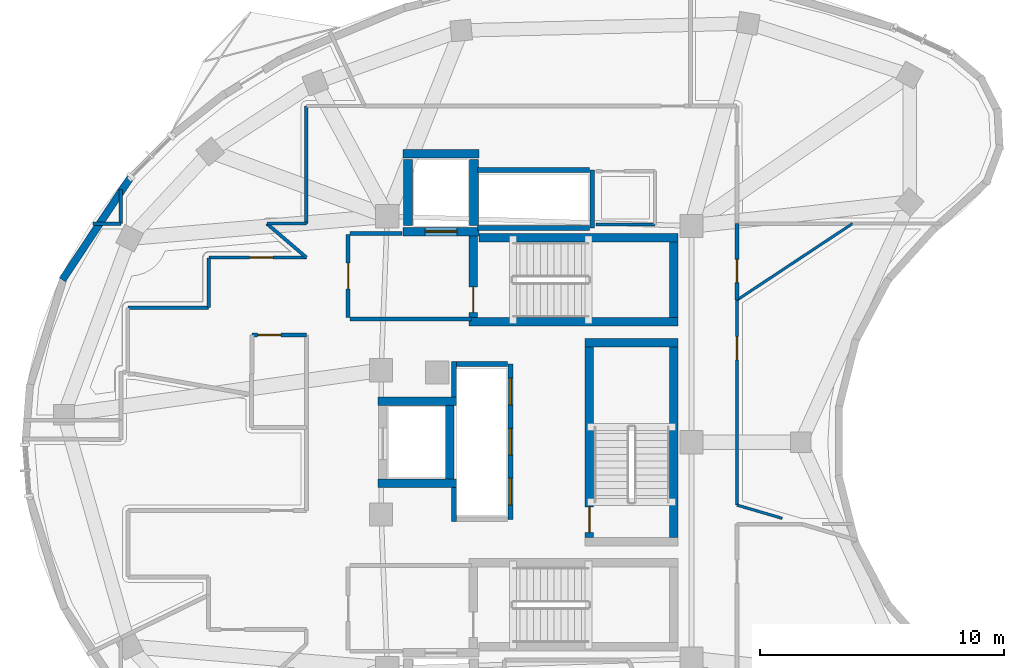
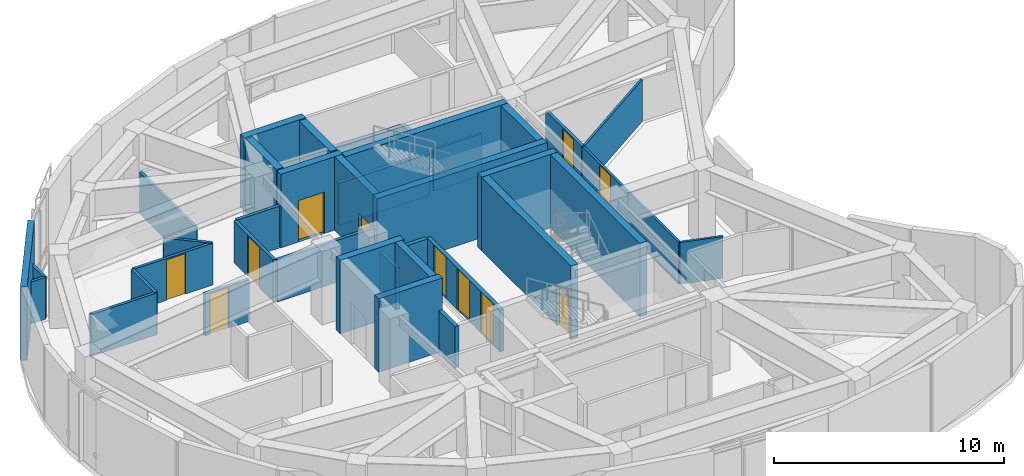
# One storey, part 7 of 12: 39 walls, 11 doors, 11 openings.
"""IFC4 building model written with IfcOpenShell, lengths in metres."""

from ifc_helpers import new_model, si_unit, direction, frame, frame_2d, origin, place, context, subcontext, project, spatial, rectangle, extrude, material, layer, layer_set, type_object, element, fill, save


model = new_model("IFC4")

# Units and contexts
model_context = context("Model", 3, precision=1e-05, world=origin(), true_north=direction((0.0, 1.0)))
body_context = subcontext(model_context, "Body", "Model", "MODEL_VIEW")
ifc_project = project(units=[si_unit("LENGTHUNIT", "METRE"), si_unit("AREAUNIT", "SQUARE_METRE"), si_unit("VOLUMEUNIT", "CUBIC_METRE"), si_unit("PLANEANGLEUNIT", "RADIAN"), si_unit("MASSUNIT", "GRAM", prefix="KILO")], contexts=[model_context])

# Site, building, storey
site_placement = place(None, origin())
site = spatial("IfcSite", under=ifc_project, at=site_placement, CompositionType="ELEMENT")
building_placement = place(site_placement, origin())
building = spatial("IfcBuilding", under=site, at=building_placement, Name="Korentha Bioscience Tower", CompositionType="ELEMENT")
storey_placement = place(building_placement, frame((0.0, 0.0, 297.60009765625)))
storey = spatial("IfcBuildingStorey", under=building, at=storey_placement, Name="L68", CompositionType="ELEMENT", Elevation=297.60009765625)

# Wall, opening, door
ifc_material_1 = material(Name="Double-Stud Acoustic Gypsum", Category="gypsum")
ifc_layer_1 = layer(ifc_material_1, 0.14990234375, Name="Double-Stud Acoustic Gypsum")
ifc_layer_set_1 = layer_set([ifc_layer_1], Name="Double-Stud Acoustic Gypsum (IW-L150)")
wall_type_1 = type_object("IfcWallType", Name="Acoustic Laboratory Partition Wall 150", PredefinedType="PARTITIONING", material=ifc_layer_set_1)
wall_1_placement = place(storey_placement, frame((39.409912109375, 32.83056640625, 0.0), z_axis=(0.0, 0.0, 1.0), x_axis=(0.0, 1.0, 0.0)))
wall_1 = element("IfcWall", 1, at=wall_1_placement, inside=storey, type_object=wall_type_1, Name="L68 Researchers' Collaboration Pantry 08 Entrance Wall", PredefinedType="PARTITIONING", context=body_context, shape_type="SweptSolid", body=[
    extrude(rectangle(XDim=3.117431640625, YDim=0.14990234375, at=frame_2d((1.55859375, 0.0))), origin(), (0.0, 0.0, 1.0), 2.219970703125),
])
opening_1_placement = place(wall_1_placement, frame((0.70361328125, 0.0, 0.0)))
opening_1 = element("IfcOpeningElement", 2, at=opening_1_placement, cuts=wall_1, Name="Opening ID-10R", PredefinedType="OPENING", context=body_context, shape_type="SweptSolid", body=[
    extrude(rectangle(XDim=0.949951171875, YDim=2.14990234375, at=frame_2d((0.47509765625, 1.074951171875))), frame((0.0, 0.08984375, 0.0), z_axis=(0.0, -1.0, 0.0), x_axis=(1.0, 0.0, 0.0)), (0.0, 0.0, 1.0), 0.1796875),
])
ifc_material_2 = material(Name="Phenolic Laminate Timber Core", Category="wood")
door_type_1 = type_object("IfcDoorType", Name="Laboratory Single Leaf Door 950x2150 Right", OperationType="SINGLE_SWING_RIGHT", PredefinedType="DOOR", material=ifc_material_2)
door_1_placement = place(opening_1_placement, origin())
door_1 = element("IfcDoor", 3, at=door_1_placement, inside=storey, type_object=door_type_1, Name="L68 Researchers' Collaboration Pantry 08 Door", OperationType="SINGLE_SWING_RIGHT", OverallHeight=2.14990234375, OverallWidth=0.949951171875, PredefinedType="DOOR", context=body_context, shape_type="SweptSolid", body=[
    extrude(rectangle(XDim=0.949951171875, YDim=2.14990234375, at=frame_2d((0.47509765625, 1.074951171875))), frame((0.0, 0.02490234375, 0.0), z_axis=(0.0, -1.0, 0.0), x_axis=(1.0, 0.0, 0.0)), (0.0, 0.0, 1.0), 0.050048828125),
])
fill(opening_1, door_1)

ifc_material_3 = material(Name="Insulated Aluminium Honeycomb Panel", Category="aluminium")
ifc_layer_2 = layer(ifc_material_3, 0.139892578125, Name="Insulated Aluminium Honeycomb Panel")
ifc_layer_set_2 = layer_set([ifc_layer_2], Name="Insulated Aluminium Honeycomb Panel (IW-F60)")
wall_type_2 = type_object("IfcWallType", Name="Cleanroom Flush Metal Panel Partition 140", PredefinedType="PARTITIONING", material=ifc_layer_set_2)
wall_2_placement = place(storey_placement, frame((21.7900390625, 34.56005859375, 0.0), z_axis=(0.0, 0.0, 1.0), x_axis=(-1.0, 0.0, 0.0)))
wall_2 = element("IfcWall", 4, at=wall_2_placement, inside=storey, type_object=wall_type_2, Name="L68 PCR Amplification Cleanroom 11 Entrance Wall", PredefinedType="PARTITIONING", context=body_context, shape_type="SweptSolid", body=[
    extrude(rectangle(XDim=3.989990234375, YDim=0.139892578125, at=frame_2d((1.9951171875, 0.0))), origin(), (0.0, 0.0, 1.0), 2.219970703125),
])
opening_2_placement = place(wall_2_placement, frame((1.368408203125, 0.0, 0.0)))
opening_2 = element("IfcOpeningElement", 5, at=opening_2_placement, cuts=wall_2, Name="Opening ID-10L", PredefinedType="OPENING", context=body_context, shape_type="SweptSolid", body=[
    extrude(rectangle(XDim=0.949951171875, YDim=2.14990234375, at=frame_2d((0.47509765625, 1.074951171875))), frame((0.0, 0.0849609375, 0.0), z_axis=(0.0, -1.0, 0.0), x_axis=(1.0, 0.0, 0.0)), (0.0, 0.0, 1.0), 0.169677734375),
])
door_type_2 = type_object("IfcDoorType", Name="Laboratory Single Leaf Door 950x2150 Left", OperationType="SINGLE_SWING_LEFT", PredefinedType="DOOR", material=ifc_material_2)
door_2_placement = place(opening_2_placement, origin())
door_2 = element("IfcDoor", 6, at=door_2_placement, inside=storey, type_object=door_type_2, Name="L68 PCR Amplification Cleanroom 11 Door", OperationType="SINGLE_SWING_LEFT", OverallHeight=2.14990234375, OverallWidth=0.949951171875, PredefinedType="DOOR", context=body_context, shape_type="SweptSolid", body=[
    extrude(rectangle(XDim=0.949951171875, YDim=2.14990234375, at=frame_2d((0.47509765625, 1.074951171875))), frame((0.0, 0.02490234375, 0.0), z_axis=(0.0, -1.0, 0.0), x_axis=(1.0, 0.0, 0.0)), (0.0, 0.0, 1.0), 0.050048828125),
])
fill(opening_2, door_2)

# Walls
wall_3_placement = place(storey_placement, frame((13.069091796875, 35.947998046875, 0.0), z_axis=(0.0, 0.0, 1.0), x_axis=(1.0, 0.0, 0.0)))
element("IfcWall", 7, at=wall_3_placement, inside=storey, type_object=wall_type_2, Name="L68 Interior Partition 062", PredefinedType="PARTITIONING", context=body_context, shape_type="SweptSolid", body=[
    extrude(rectangle(XDim=1.128662109375, YDim=0.139892578125, at=frame_2d((0.564453125, 0.0))), origin(), (0.0, 0.0, 1.0), 2.219970703125),
])
wall_4_placement = place(storey_placement, frame((14.201904296875, 35.9521484375, 0.0), z_axis=(0.0, 0.0, 1.0), x_axis=(0.0, 1.0, 0.0)))
element("IfcWall", 8, at=wall_4_placement, inside=storey, type_object=wall_type_2, Name="L68 Interior Partition 063", PredefinedType="PARTITIONING", context=body_context, shape_type="SweptSolid", body=[
    extrude(rectangle(XDim=1.393798828125, YDim=0.139892578125, at=frame_2d((0.69677734375, 0.0))), origin(), (0.0, 0.0, 1.0), 2.219970703125),
])
wall_5_placement = place(storey_placement, frame((21.7900390625, 40.75, 0.0), z_axis=(0.0, 0.0, 1.0), x_axis=(0.0, -1.0, 0.0)))
element("IfcWall", 9, at=wall_5_placement, inside=storey, type_object=wall_type_2, Name="L68 Interior Partition 065", PredefinedType="PARTITIONING", context=body_context, shape_type="SweptSolid", body=[
    extrude(rectangle(XDim=4.798095703125, YDim=0.139892578125, at=frame_2d((2.39892578125, 0.0))), origin(), (0.0, 0.0, 1.0), 2.219970703125),
])
wall_6_placement = place(storey_placement, frame((21.7900390625, 35.951904296875, 0.0), z_axis=(0.0, 0.0, 1.0), x_axis=(-1.0, 0.0, 0.0)))
element("IfcWall", 10, at=wall_6_placement, inside=storey, type_object=wall_type_2, Name="L68 Interior Partition 066", PredefinedType="PARTITIONING", context=body_context, shape_type="SweptSolid", body=[
    extrude(rectangle(XDim=1.611328125, YDim=0.139892578125, at=frame_2d((0.8056640625, 0.0))), origin(), (0.0, 0.0, 1.0), 2.219970703125),
])
wall_7_placement = place(storey_placement, frame((20.17626953125, 35.945068359375, 0.0), z_axis=(0.0, 0.0, 1.0), x_axis=(0.759240386263, -0.650810291765, 0.0)))
element("IfcWall", 11, at=wall_7_placement, inside=storey, type_object=wall_type_2, Name="L68 Interior Partition 067", PredefinedType="PARTITIONING", context=body_context, shape_type="SweptSolid", body=[
    extrude(rectangle(XDim=2.12548828125, YDim=0.139892578125, at=frame_2d((1.062744140625, 0.0))), origin(), (0.0, 0.0, 1.0), 2.219970703125),
])
wall_8_placement = place(storey_placement, frame((17.7900390625, 34.550048828125, 0.0), z_axis=(0.0, 0.0, 1.0), x_axis=(0.0, -1.0, 0.0)))
element("IfcWall", 12, at=wall_8_placement, inside=storey, type_object=wall_type_2, Name="L68 Interior Partition 068", PredefinedType="PARTITIONING", context=body_context, shape_type="SweptSolid", body=[
    extrude(rectangle(XDim=2.0400390625, YDim=0.139892578125, at=frame_2d((1.02001953125, 0.0))), origin(), (0.0, 0.0, 1.0), 2.219970703125),
])
wall_9_placement = place(storey_placement, frame((17.7900390625, 32.510009765625, 0.0), z_axis=(0.0, 0.0, 1.0), x_axis=(-1.0, 0.0, 0.0)))
element("IfcWall", 13, at=wall_9_placement, inside=storey, type_object=wall_type_2, Name="L68 Interior Partition 069", PredefinedType="PARTITIONING", context=body_context, shape_type="SweptSolid", body=[
    extrude(rectangle(XDim=3.2900390625, YDim=0.139892578125, at=frame_2d((1.64501953125, 0.0))), origin(), (0.0, 0.0, 1.0), 2.219970703125),
])

# Wall, opening, door
ifc_material_4 = material(Name="Fire-Rated Framed Glass", Category="glass")
ifc_layer_3 = layer(ifc_material_4, 0.110107421875, Name="Fire-Rated Framed Glass")
ifc_layer_set_3 = layer_set([ifc_layer_3], Name="Fire-Rated Framed Glass (IW-G110)")
wall_type_3 = type_object("IfcWallType", Name="Demountable Glazed Office Partition 110", PredefinedType="MOVABLE", material=ifc_layer_set_3)
wall_10_placement = place(storey_placement, frame((39.409912109375, 24.430419921875, 0.0), z_axis=(0.0, 0.0, 1.0), x_axis=(0.0, 1.0, 0.0)))
wall_10 = element("IfcWall", 14, at=wall_10_placement, inside=storey, type_object=wall_type_3, Name="L68 Project Seminar and Review Room 07 Entrance Wall", PredefinedType="MOVABLE", context=body_context, shape_type="SweptSolid", body=[
    extrude(rectangle(XDim=8.38818359375, YDim=0.110107421875, at=frame_2d((4.194091796875, 0.0))), origin(), (0.0, 0.0, 1.0), 2.219970703125),
])
opening_3_placement = place(wall_10_placement, frame((5.937255859375, 0.0, 0.0)))
opening_3 = element("IfcOpeningElement", 15, at=opening_3_placement, cuts=wall_10, Name="Opening ID-10L", PredefinedType="OPENING", context=body_context, shape_type="SweptSolid", body=[
    extrude(rectangle(XDim=0.949951171875, YDim=2.14990234375, at=frame_2d((0.47509765625, 1.074951171875))), frame((0.0, 0.06982421875, 0.0), z_axis=(0.0, -1.0, 0.0), x_axis=(1.0, 0.0, 0.0)), (0.0, 0.0, 1.0), 0.139892578125),
])
door_3_placement = place(opening_3_placement, origin())
door_3 = element("IfcDoor", 16, at=door_3_placement, inside=storey, type_object=door_type_2, Name="L68 Project Seminar and Review Room 07 Door", OperationType="SINGLE_SWING_LEFT", OverallHeight=2.14990234375, OverallWidth=0.949951171875, PredefinedType="DOOR", context=body_context, shape_type="SweptSolid", body=[
    extrude(rectangle(XDim=0.949951171875, YDim=2.14990234375, at=frame_2d((0.47509765625, 1.074951171875))), frame((0.0, 0.02490234375, 0.0), z_axis=(0.0, -1.0, 0.0), x_axis=(1.0, 0.0, 0.0)), (0.0, 0.0, 1.0), 0.050048828125),
])
fill(opening_3, door_3)

# Walls
wall_11_placement = place(storey_placement, frame((41.264892578125, 23.887939453125, 0.0), z_axis=(0.0, 0.0, 1.0), x_axis=(-0.959798849477, 0.280688739608, 0.0)))
element("IfcWall", 17, at=wall_11_placement, inside=storey, type_object=wall_type_3, Name="L68 Interior Partition 056", PredefinedType="MOVABLE", context=body_context, shape_type="SweptSolid", body=[
    extrude(rectangle(XDim=1.9326171875, YDim=0.110107421875, at=frame_2d((0.96630859375, 0.0))), origin(), (0.0, 0.0, 1.0), 2.219970703125),
])
wall_12_placement = place(storey_placement, frame((39.409912109375, 32.818603515625, 0.0), z_axis=(0.0, 0.0, 1.0), x_axis=(0.833887323848, 0.551934716363, 0.0)))
element("IfcWall", 18, at=wall_12_placement, inside=storey, type_object=wall_type_3, Name="L68 Interior Partition 057", PredefinedType="MOVABLE", context=body_context, shape_type="SweptSolid", body=[
    extrude(rectangle(XDim=5.669921875, YDim=0.110107421875, at=frame_2d((2.8349609375, 0.0))), origin(), (0.0, 0.0, 1.0), 2.219970703125),
])

# Wall, opening, door
ifc_material_5 = material(Name="Gypsum-Clad Steel Stud", Category="steel")
ifc_layer_4 = layer(ifc_material_5, 0.159912109375, Name="Gypsum-Clad Steel Stud")
ifc_layer_set_4 = layer_set([ifc_layer_4], Name="Gypsum-Clad Steel Stud (IW-C160)")
wall_type_4 = type_object("IfcWallType", Name="Fire-Rated Corridor Partition Wall 160", PredefinedType="PARTITIONING", material=ifc_layer_set_4)
wall_13_placement = place(storey_placement, frame((23.5, 32.10009765625, 0.0), z_axis=(0.0, 0.0, 1.0), x_axis=(0.0, 1.0, 0.0)))
wall_13 = element("IfcWall", 19, at=wall_13_placement, inside=storey, type_object=wall_type_4, Name="L68 FFLN-CW Rated Enclosure Wall", PredefinedType="PARTITIONING", context=body_context, shape_type="SweptSolid", body=[
    extrude(rectangle(XDim=3.39990234375, YDim=0.159912109375, at=frame_2d((1.699951171875, 0.0))), origin(), (0.0, 0.0, 1.0), 2.219970703125),
])
opening_4_placement = place(wall_13_placement, frame((1.175048828125, 0.0, 0.0)))
opening_4 = element("IfcOpeningElement", 20, at=opening_4_placement, cuts=wall_13, Name="Opening FD-90L", PredefinedType="OPENING", context=body_context, shape_type="SweptSolid", body=[
    extrude(rectangle(XDim=1.050048828125, YDim=2.14990234375, at=frame_2d((0.52490234375, 1.074951171875))), frame((0.0, 0.0947265625, 0.0), z_axis=(0.0, -1.0, 0.0), x_axis=(1.0, 0.0, 0.0)), (0.0, 0.0, 1.0), 0.189697265625),
])
ifc_material_6 = material(Name="Powder-Coated Fire-Rated Steel", Category="steel")
door_type_3 = type_object("IfcDoorType", Name="Stairwell Fire Exit Door 1050x2150 Left", OperationType="SINGLE_SWING_LEFT", PredefinedType="DOOR", material=ifc_material_6)
door_4_placement = place(opening_4_placement, origin())
door_4 = element("IfcDoor", 21, at=door_4_placement, inside=storey, type_object=door_type_3, Name="L68 North Firefighting Lobby Door", OperationType="SINGLE_SWING_LEFT", OverallHeight=2.14990234375, OverallWidth=1.050048828125, PredefinedType="DOOR", context=body_context, shape_type="SweptSolid", body=[
    extrude(rectangle(XDim=1.050048828125, YDim=2.14990234375, at=frame_2d((0.52490234375, 1.074951171875))), frame((0.0, 0.02490234375, 0.0), z_axis=(0.0, -1.0, 0.0), x_axis=(1.0, 0.0, 0.0)), (0.0, 0.0, 1.0), 0.050048828125),
])
fill(opening_4, door_4)

# Walls
wall_14_placement = place(storey_placement, frame((23.580078125, 32.050048828125, 0.0), z_axis=(0.0, 0.0, 1.0), x_axis=(1.0, 0.0, 0.0)))
element("IfcWall", 22, at=wall_14_placement, inside=storey, type_object=wall_type_4, Name="L68 Firefighting Lobby Return Wall FFLN-S", PredefinedType="PARTITIONING", context=body_context, shape_type="SweptSolid", body=[
    extrude(rectangle(XDim=4.969970703125, YDim=0.159912109375, at=frame_2d((2.48486328125, 0.0))), origin(), (0.0, 0.0, 1.0), 2.219970703125),
])
wall_15_placement = place(storey_placement, frame((23.580078125, 35.550048828125, 0.0), z_axis=(0.0, 0.0, 1.0), x_axis=(1.0, 0.0, 0.0)))
element("IfcWall", 23, at=wall_15_placement, inside=storey, type_object=wall_type_4, Name="L68 Firefighting Lobby Return Wall FFLN-N", PredefinedType="PARTITIONING", context=body_context, shape_type="SweptSolid", body=[
    extrude(rectangle(XDim=2.119873046875, YDim=0.159912109375, at=frame_2d((1.06005859375, 0.0))), origin(), (0.0, 0.0, 1.0), 2.219970703125),
])

# Wall, opening, door
wall_16_placement = place(storey_placement, frame((19.56005859375, 31.389892578125, 0.0), z_axis=(0.0, 0.0, 1.0), x_axis=(1.0, 0.0, 0.0)))
wall_16 = element("IfcWall", 24, at=wall_16_placement, inside=storey, type_object=wall_type_4, Name="L68 Reclaimed Bank-2 Telecoms and Data Store Entrance Wall", PredefinedType="PARTITIONING", context=body_context, shape_type="SweptSolid", body=[
    extrude(rectangle(XDim=2.22998046875, YDim=0.159912109375, at=frame_2d((1.114990234375, 0.0))), origin(), (0.0, 0.0, 1.0), 2.219970703125),
])
opening_5_placement = place(wall_16_placement, frame((0.239990234375, 0.0, 0.0)))
opening_5 = element("IfcOpeningElement", 25, at=opening_5_placement, cuts=wall_16, Name="Opening ID-10R", PredefinedType="OPENING", context=body_context, shape_type="SweptSolid", body=[
    extrude(rectangle(XDim=0.949951171875, YDim=2.14990234375, at=frame_2d((0.47509765625, 1.074951171875))), frame((0.0, 0.0947265625, 0.0), z_axis=(0.0, -1.0, 0.0), x_axis=(1.0, 0.0, 0.0)), (0.0, 0.0, 1.0), 0.189697265625),
])
door_5_placement = place(opening_5_placement, origin())
door_5 = element("IfcDoor", 26, at=door_5_placement, inside=storey, type_object=door_type_1, Name="L68 Reclaimed Bank-2 Telecoms and Data Store Door", OperationType="SINGLE_SWING_RIGHT", OverallHeight=2.14990234375, OverallWidth=0.949951171875, PredefinedType="DOOR", context=body_context, shape_type="SweptSolid", body=[
    extrude(rectangle(XDim=0.949951171875, YDim=2.14990234375, at=frame_2d((0.47509765625, 1.074951171875))), frame((0.0, 0.02490234375, 0.0), z_axis=(0.0, -1.0, 0.0), x_axis=(1.0, 0.0, 0.0)), (0.0, 0.0, 1.0), 0.050048828125),
])
fill(opening_5, door_5)

# Walls
ifc_material_7 = material(Name="Honed Limestone Precast Concrete C40", Category="masonry")
ifc_layer_5 = layer(ifc_material_7, 0.300048828125, Name="Honed Limestone Precast Concrete C40")
ifc_layer_set_5 = layer_set([ifc_layer_5], Name="Honed Limestone Precast Concrete C40 (EW-ST300)")
wall_type_5 = type_object("IfcWallType", Name="Honed Limestone Cavity Spandrel Wall 300", PredefinedType="STANDARD", material=ifc_layer_set_5)
wall_17_placement = place(storey_placement, frame((14.61181640625, 37.8681640625, 0.0), z_axis=(0.0, 0.0, 1.0), x_axis=(-0.553332864868, -0.832960227536, 0.0)))
element("IfcWall", 27, at=wall_17_placement, inside=storey, type_object=wall_type_5, Name="L68 Limestone Perimeter Closure Wall 14", PredefinedType="STANDARD", context=body_context, shape_type="SweptSolid", body=[
    extrude(rectangle(XDim=5.07080078125, YDim=0.300048828125, at=frame_2d((2.535400390625, 0.0))), origin(), (0.0, 0.0, 1.0), 3.89990234375),
])
ifc_material_8 = material(Name="Autoclaved Aerated Concrete Block C25", Category="concrete")
ifc_layer_6 = layer(ifc_material_8, 0.199951171875, Name="Autoclaved Aerated Concrete Block C25")
ifc_layer_set_6 = layer_set([ifc_layer_6], Name="Autoclaved Aerated Concrete Block C25 (IW-S200)")
wall_type_6 = type_object("IfcWallType", Name="Lift and Riser Shaft Enclosure Wall 200", PredefinedType="PARTITIONING", material=ifc_layer_set_6)
wall_18_placement = place(storey_placement, frame((27.830078125, 23.75, 0.0), z_axis=(0.0, 0.0, 1.0), x_axis=(0.0, 1.0, 0.0)))
element("IfcWall", 28, at=wall_18_placement, inside=storey, type_object=wall_type_6, Name="L68 Lift Bank HIGH Shaft Wall -XS", PredefinedType="PARTITIONING", context=body_context, shape_type="SweptSolid", body=[
    extrude(rectangle(XDim=1.39111328125, YDim=0.199951171875, at=frame_2d((0.695556640625, 0.0))), origin(), (0.0, 0.0, 1.0), 2.219970703125),
])
wall_19_placement = place(storey_placement, frame((27.830078125, 28.85888671875, 0.0), z_axis=(0.0, 0.0, 1.0), x_axis=(0.0, 1.0, 0.0)))
element("IfcWall", 29, at=wall_19_placement, inside=storey, type_object=wall_type_6, Name="L68 Lift Bank HIGH Shaft Wall -XN", PredefinedType="PARTITIONING", context=body_context, shape_type="SweptSolid", body=[
    extrude(rectangle(XDim=1.441162109375, YDim=0.199951171875, at=frame_2d((0.720703125, 0.0))), origin(), (0.0, 0.0, 1.0), 2.219970703125),
])

# Wall, openings, doors
wall_20_placement = place(storey_placement, frame((30.14990234375, 23.85009765625, 0.0), z_axis=(0.0, 0.0, 1.0), x_axis=(0.0, 1.0, 0.0)))
wall_20 = element("IfcWall", 30, at=wall_20_placement, inside=storey, type_object=wall_type_6, Name="L68 Lift Bank HIGH Shaft Wall +X", PredefinedType="PARTITIONING", context=body_context, shape_type="SweptSolid", body=[
    extrude(rectangle(XDim=6.349853515625, YDim=0.199951171875, at=frame_2d((3.1748046875, 0.0))), origin(), (0.0, 0.0, 1.0), 2.219970703125),
])
opening_6_placement = place(wall_20_placement, frame((0.580078125, 0.0, 0.0)))
opening_6 = element("IfcOpeningElement", 31, at=opening_6_placement, cuts=wall_20, Name="Opening LD-11", PredefinedType="OPENING", context=body_context, shape_type="SweptSolid", body=[
    extrude(rectangle(XDim=1.10009765625, YDim=2.199951171875, at=frame_2d((0.550048828125, 1.10009765625))), frame((0.0, 0.11474609375, 0.0), z_axis=(0.0, -1.0, 0.0), x_axis=(1.0, 0.0, 0.0)), (0.0, 0.0, 1.0), 0.229736328125),
])
opening_7_placement = place(wall_20_placement, frame((2.6201171875, 0.0, 0.0)))
opening_7 = element("IfcOpeningElement", 32, at=opening_7_placement, cuts=wall_20, Name="Opening LD-11", PredefinedType="OPENING", context=body_context, shape_type="SweptSolid", body=[
    extrude(rectangle(XDim=1.10009765625, YDim=2.199951171875, at=frame_2d((0.550048828125, 1.10009765625))), frame((0.0, 0.11474609375, 0.0), z_axis=(0.0, -1.0, 0.0), x_axis=(1.0, 0.0, 0.0)), (0.0, 0.0, 1.0), 0.229736328125),
])
opening_8_placement = place(wall_20_placement, frame((4.669921875, 0.0, 0.0)))
opening_8 = element("IfcOpeningElement", 33, at=opening_8_placement, cuts=wall_20, Name="Opening LD-11", PredefinedType="OPENING", context=body_context, shape_type="SweptSolid", body=[
    extrude(rectangle(XDim=1.10009765625, YDim=2.199951171875, at=frame_2d((0.550048828125, 1.10009765625))), frame((0.0, 0.11474609375, 0.0), z_axis=(0.0, -1.0, 0.0), x_axis=(1.0, 0.0, 0.0)), (0.0, 0.0, 1.0), 0.229736328125),
])
ifc_material_9 = material(Name="Brushed Stainless Steel 304", Category="steel")
door_type_4 = type_object("IfcDoorType", Name="Passenger Lift Sliding Landing Door 1100x2200", OperationType="DOUBLE_DOOR_SLIDING", PredefinedType="DOOR", material=ifc_material_9)
door_6_placement = place(opening_6_placement, origin())
door_6 = element("IfcDoor", 34, at=door_6_placement, inside=storey, type_object=door_type_4, Name="L68 PL-H1 Sliding Lift Landing Door", OperationType="DOUBLE_DOOR_SLIDING", OverallHeight=2.199951171875, OverallWidth=1.10009765625, PredefinedType="DOOR", context=body_context, shape_type="SweptSolid", body=[
    extrude(rectangle(XDim=1.10009765625, YDim=2.199951171875, at=frame_2d((0.550048828125, 1.10009765625))), frame((0.0, 0.02490234375, 0.0), z_axis=(0.0, -1.0, 0.0), x_axis=(1.0, 0.0, 0.0)), (0.0, 0.0, 1.0), 0.050048828125),
])
fill(opening_6, door_6)
door_7_placement = place(opening_7_placement, origin())
door_7 = element("IfcDoor", 35, at=door_7_placement, inside=storey, type_object=door_type_4, Name="L68 PL-H2 Sliding Lift Landing Door", OperationType="DOUBLE_DOOR_SLIDING", OverallHeight=2.199951171875, OverallWidth=1.10009765625, PredefinedType="DOOR", context=body_context, shape_type="SweptSolid", body=[
    extrude(rectangle(XDim=1.10009765625, YDim=2.199951171875, at=frame_2d((0.550048828125, 1.10009765625))), frame((0.0, 0.02490234375, 0.0), z_axis=(0.0, -1.0, 0.0), x_axis=(1.0, 0.0, 0.0)), (0.0, 0.0, 1.0), 0.050048828125),
])
fill(opening_7, door_7)
door_8_placement = place(opening_8_placement, origin())
door_8 = element("IfcDoor", 36, at=door_8_placement, inside=storey, type_object=door_type_4, Name="L68 PL-H3 Sliding Lift Landing Door", OperationType="DOUBLE_DOOR_SLIDING", OverallHeight=2.199951171875, OverallWidth=1.10009765625, PredefinedType="DOOR", context=body_context, shape_type="SweptSolid", body=[
    extrude(rectangle(XDim=1.10009765625, YDim=2.199951171875, at=frame_2d((0.550048828125, 1.10009765625))), frame((0.0, 0.02490234375, 0.0), z_axis=(0.0, -1.0, 0.0), x_axis=(1.0, 0.0, 0.0)), (0.0, 0.0, 1.0), 0.050048828125),
])
fill(opening_8, door_8)

# Walls
wall_21_placement = place(storey_placement, frame((27.93408203125, 30.199951171875, 0.0), z_axis=(0.0, 0.0, 1.0), x_axis=(1.0, 0.0, 0.0)))
element("IfcWall", 37, at=wall_21_placement, inside=storey, type_object=wall_type_6, Name="L68 Lift Bank HIGH Shaft Wall +Y", PredefinedType="PARTITIONING", context=body_context, shape_type="SweptSolid", body=[
    extrude(rectangle(XDim=2.095947265625, YDim=0.199951171875, at=frame_2d((1.0478515625, 0.0))), origin(), (0.0, 0.0, 1.0), 2.219970703125),
])
wall_22_placement = place(storey_placement, frame((33.489990234375, 35.760009765625, 0.0), z_axis=(0.0, 0.0, 1.0), x_axis=(0.0, 1.0, 0.0)))
element("IfcWall", 38, at=wall_22_placement, inside=storey, type_object=wall_type_6, Name="L68 Lift Bank OBS Shaft Wall +X", PredefinedType="PARTITIONING", context=body_context, shape_type="SweptSolid", body=[
    extrude(rectangle(XDim=2.3798828125, YDim=0.199951171875, at=frame_2d((1.18994140625, 0.0))), origin(), (0.0, 0.0, 1.0), 2.219970703125),
])
for number, where, z_axis, x_axis, name in (
    (39, (28.800048828125, 35.760009765625, 0.0), (0.0, 0.0, 1.0), (1.0, 0.0, 0.0), "L68 Lift Bank OBS Shaft Wall -Y"),
    (40, (28.800048828125, 38.139892578125, 0.0), (0.0, 0.0, 1.0), (1.0, 0.0, 0.0), "L68 Lift Bank OBS Shaft Wall +Y"),
):
    element("IfcWall", number, at=place(storey_placement, frame(where, z_axis=z_axis, x_axis=x_axis)), inside=storey, type_object=wall_type_6, Name=name, PredefinedType="PARTITIONING", context=body_context, shape_type="SweptSolid", body=[
        extrude(rectangle(XDim=4.570068359375, YDim=0.199951171875, at=frame_2d((2.28515625, 0.0))), origin(), (0.0, 0.0, 1.0), 2.219970703125),
    ])
ifc_material_10 = material(Name="Concrete C50", Category="concrete")
ifc_layer_7 = layer(ifc_material_10, 0.35009765625, Name="Concrete C50")
ifc_layer_set_7 = layer_set([ifc_layer_7], Name="Concrete C50 (CW-C50)")
wall_type_7 = type_object("IfcWallType", Name="Upper Core Shear Wall 350", PredefinedType="SHEAR", material=ifc_layer_set_7)
wall_23_placement = place(storey_placement, frame((28.85205078125, 35.375, 0.0), z_axis=(0.0, 0.0, 1.0), x_axis=(1.0, 0.0, 0.0)))
element("IfcWall", 41, at=wall_23_placement, inside=storey, type_object=wall_type_7, Name="L68 Core Shear Wall ST1-N", PredefinedType="SHEAR", context=body_context, shape_type="SweptSolid", body=[
    extrude(rectangle(XDim=8.14794921875, YDim=0.35009765625, at=frame_2d((4.073974609375, 0.0))), origin(), (0.0, 0.0, 1.0), 3.89990234375),
])
wall_24_placement = place(storey_placement, frame((28.449951171875, 31.925048828125, 0.0), z_axis=(0.0, 0.0, 1.0), x_axis=(1.0, 0.0, 0.0)))
element("IfcWall", 42, at=wall_24_placement, inside=storey, type_object=wall_type_7, Name="L68 Core Shear Wall ST1-S", PredefinedType="SHEAR", context=body_context, shape_type="SweptSolid", body=[
    extrude(rectangle(XDim=8.550048828125, YDim=0.35009765625, at=frame_2d((4.27490234375, 0.0))), origin(), (0.0, 0.0, 1.0), 3.89990234375),
])
wall_25_placement = place(storey_placement, frame((36.824951171875, 32.110107421875, 0.0), z_axis=(0.0, 0.0, 1.0), x_axis=(0.0, 1.0, 0.0)))
element("IfcWall", 43, at=wall_25_placement, inside=storey, type_object=wall_type_7, Name="L68 Core Shear Wall ST1-E", PredefinedType="SHEAR", context=body_context, shape_type="SweptSolid", body=[
    extrude(rectangle(XDim=3.079833984375, YDim=0.35009765625, at=frame_2d((1.5400390625, 0.0))), origin(), (0.0, 0.0, 1.0), 3.89990234375),
])

# Wall, opening, door
wall_26_placement = place(storey_placement, frame((28.625, 32.110107421875, 0.0), z_axis=(0.0, 0.0, 1.0), x_axis=(0.0, 1.0, 0.0)))
wall_26 = element("IfcWall", 44, at=wall_26_placement, inside=storey, type_object=wall_type_7, Name="L68 Core Shear Wall ST1-W", PredefinedType="SHEAR", context=body_context, shape_type="SweptSolid", body=[
    extrude(rectangle(XDim=3.3330078125, YDim=0.35009765625, at=frame_2d((1.66650390625, 0.0))), origin(), (0.0, 0.0, 1.0), 3.89990234375),
])
opening_9_placement = place(wall_26_placement, frame((0.199951171875, 0.0, 0.0)))
opening_9 = element("IfcOpeningElement", 45, at=opening_9_placement, cuts=wall_26, Name="Opening FD-90L", PredefinedType="OPENING", context=body_context, shape_type="SweptSolid", body=[
    extrude(rectangle(XDim=1.050048828125, YDim=2.14990234375, at=frame_2d((0.52490234375, 1.074951171875))), frame((0.0, 0.18994140625, 0.0), z_axis=(0.0, -1.0, 0.0), x_axis=(1.0, 0.0, 0.0)), (0.0, 0.0, 1.0), 0.3798828125),
])
door_9_placement = place(opening_9_placement, origin())
door_9 = element("IfcDoor", 46, at=door_9_placement, inside=storey, type_object=door_type_3, Name="L68 ST-1 Fire Exit Stair Door", OperationType="SINGLE_SWING_LEFT", OverallHeight=2.14990234375, OverallWidth=1.050048828125, PredefinedType="DOOR", context=body_context, shape_type="SweptSolid", body=[
    extrude(rectangle(XDim=1.050048828125, YDim=2.14990234375, at=frame_2d((0.52490234375, 1.074951171875))), frame((0.0, 0.02490234375, 0.0), z_axis=(0.0, -1.0, 0.0), x_axis=(1.0, 0.0, 0.0)), (0.0, 0.0, 1.0), 0.050048828125),
])
fill(opening_9, door_9)

# Walls
wall_27_placement = place(storey_placement, frame((33.199951171875, 31.074951171875, 0.0), z_axis=(0.0, 0.0, 1.0), x_axis=(1.0, 0.0, 0.0)))
element("IfcWall", 47, at=wall_27_placement, inside=storey, type_object=wall_type_7, Name="L68 Core Shear Wall ST3-N", PredefinedType="SHEAR", context=body_context, shape_type="SweptSolid", body=[
    extrude(rectangle(XDim=3.800048828125, YDim=0.35009765625, at=frame_2d((1.89990234375, 0.0))), origin(), (0.0, 0.0, 1.0), 3.89990234375),
])
wall_28_placement = place(storey_placement, frame((36.824951171875, 23.110107421875, 0.0), z_axis=(0.0, 0.0, 1.0), x_axis=(0.0, 1.0, 0.0)))
element("IfcWall", 48, at=wall_28_placement, inside=storey, type_object=wall_type_7, Name="L68 Core Shear Wall ST3-E", PredefinedType="SHEAR", context=body_context, shape_type="SweptSolid", body=[
    extrude(rectangle(XDim=7.77978515625, YDim=0.35009765625, at=frame_2d((3.889892578125, 0.0))), origin(), (0.0, 0.0, 1.0), 3.89990234375),
])

# Wall, opening, door
wall_29_placement = place(storey_placement, frame((33.375, 23.110107421875, 0.0), z_axis=(0.0, 0.0, 1.0), x_axis=(0.0, 1.0, 0.0)))
wall_29 = element("IfcWall", 49, at=wall_29_placement, inside=storey, type_object=wall_type_7, Name="L68 Core Shear Wall ST3-W", PredefinedType="SHEAR", context=body_context, shape_type="SweptSolid", body=[
    extrude(rectangle(XDim=7.77978515625, YDim=0.35009765625, at=frame_2d((3.889892578125, 0.0))), origin(), (0.0, 0.0, 1.0), 3.89990234375),
])
opening_10_placement = place(wall_29_placement, frame((0.199951171875, 0.0, 0.0)))
opening_10 = element("IfcOpeningElement", 50, at=opening_10_placement, cuts=wall_29, Name="Opening FD-90L", PredefinedType="OPENING", context=body_context, shape_type="SweptSolid", body=[
    extrude(rectangle(XDim=1.050048828125, YDim=2.14990234375, at=frame_2d((0.52490234375, 1.074951171875))), frame((0.0, 0.18994140625, 0.0), z_axis=(0.0, -1.0, 0.0), x_axis=(1.0, 0.0, 0.0)), (0.0, 0.0, 1.0), 0.3798828125),
])
door_10_placement = place(opening_10_placement, origin())
door_10 = element("IfcDoor", 51, at=door_10_placement, inside=storey, type_object=door_type_3, Name="L68 ST-3 Fire Exit Stair Door", OperationType="SINGLE_SWING_LEFT", OverallHeight=2.14990234375, OverallWidth=1.050048828125, PredefinedType="DOOR", context=body_context, shape_type="SweptSolid", body=[
    extrude(rectangle(XDim=1.050048828125, YDim=2.14990234375, at=frame_2d((0.52490234375, 1.074951171875))), frame((0.0, 0.02490234375, 0.0), z_axis=(0.0, -1.0, 0.0), x_axis=(1.0, 0.0, 0.0)), (0.0, 0.0, 1.0), 0.050048828125),
])
fill(opening_10, door_10)

# Wall
wall_30_placement = place(storey_placement, frame((25.75, 38.800048828125, 0.0), z_axis=(0.0, 0.0, 1.0), x_axis=(1.0, 0.0, 0.0)))
element("IfcWall", 52, at=wall_30_placement, inside=storey, type_object=wall_type_7, Name="L68 Core Shear Wall FFL2-N", PredefinedType="SHEAR", context=body_context, shape_type="SweptSolid", body=[
    extrude(rectangle(XDim=3.10009765625, YDim=0.35009765625, at=frame_2d((1.550048828125, 0.0))), origin(), (0.0, 0.0, 1.0), 3.89990234375),
])

# Wall, opening, door
wall_31_placement = place(storey_placement, frame((25.75, 35.6201171875, 0.0), z_axis=(0.0, 0.0, 1.0), x_axis=(1.0, 0.0, 0.0)))
wall_31 = element("IfcWall", 53, at=wall_31_placement, inside=storey, type_object=wall_type_7, Name="L68 Core Shear Wall FFL2-S", PredefinedType="SHEAR", context=body_context, shape_type="SweptSolid", body=[
    extrude(rectangle(XDim=3.10009765625, YDim=0.35009765625, at=frame_2d((1.550048828125, 0.0))), origin(), (0.0, 0.0, 1.0), 3.89990234375),
])
opening_11_placement = place(wall_31_placement, frame((0.89990234375, 0.0, 0.0)))
opening_11 = element("IfcOpeningElement", 54, at=opening_11_placement, cuts=wall_31, Name="Opening LD-13", PredefinedType="OPENING", context=body_context, shape_type="SweptSolid", body=[
    extrude(rectangle(XDim=1.300048828125, YDim=2.199951171875, at=frame_2d((0.64990234375, 1.10009765625))), frame((0.0, 0.18994140625, 0.0), z_axis=(0.0, -1.0, 0.0), x_axis=(1.0, 0.0, 0.0)), (0.0, 0.0, 1.0), 0.3798828125),
])
ifc_material_11 = material(Name="Brushed Stainless Steel 316", Category="steel")
door_type_5 = type_object("IfcDoorType", Name="Service & Firefighting Lift Landing Door 1300x2300", OperationType="DOUBLE_DOOR_SLIDING", PredefinedType="DOOR", material=ifc_material_11)
door_11_placement = place(opening_11_placement, origin())
door_11 = element("IfcDoor", 55, at=door_11_placement, inside=storey, type_object=door_type_5, Name="L68 FFL-2 Sliding Lift Landing Door", OperationType="DOUBLE_DOOR_SLIDING", OverallHeight=2.199951171875, OverallWidth=1.300048828125, PredefinedType="DOOR", context=body_context, shape_type="SweptSolid", body=[
    extrude(rectangle(XDim=1.300048828125, YDim=2.199951171875, at=frame_2d((0.64990234375, 1.10009765625))), frame((0.0, 0.02490234375, 0.0), z_axis=(0.0, -1.0, 0.0), x_axis=(1.0, 0.0, 0.0)), (0.0, 0.0, 1.0), 0.050048828125),
])
fill(opening_11, door_11)

# Walls
for number, where, z_axis, x_axis, name in (
    (56, (25.949951171875, 35.860107421875, 0.0), (0.0, 0.0, 1.0), (0.0, 1.0, 0.0), "L68 Core Shear Wall FFL2-W"),
    (57, (28.64990234375, 35.860107421875, 0.0), (0.0, 0.0, 1.0), (0.0, 1.0, 0.0), "L68 Core Shear Wall FFL2-E"),
):
    element("IfcWall", number, at=place(storey_placement, frame(where, z_axis=z_axis, x_axis=x_axis)), inside=storey, type_object=wall_type_7, Name=name, PredefinedType="SHEAR", context=body_context, shape_type="SweptSolid", body=[
        extrude(rectangle(XDim=2.699951171875, YDim=0.35009765625, at=frame_2d((1.35009765625, 0.0))), origin(), (0.0, 0.0, 1.0), 3.89990234375),
    ])
for number, where, z_axis, x_axis, name in (
    (58, (24.719970703125, 28.679931640625, 0.0), (0.0, 0.0, 1.0), (1.0, 0.0, 0.0), "L68 Core Shear Wall SVL1-N"),
    (59, (24.719970703125, 25.320068359375, 0.0), (0.0, 0.0, 1.0), (1.0, 0.0, 0.0), "L68 Core Shear Wall SVL1-S"),
):
    element("IfcWall", number, at=place(storey_placement, frame(where, z_axis=z_axis, x_axis=x_axis)), inside=storey, type_object=wall_type_7, Name=name, PredefinedType="SHEAR", context=body_context, shape_type="SweptSolid", body=[
        extrude(rectangle(XDim=3.2099609375, YDim=0.35009765625, at=frame_2d((1.60498046875, 0.0))), origin(), (0.0, 0.0, 1.0), 3.89990234375),
    ])
wall_32_placement = place(storey_placement, frame((27.64990234375, 25.4970703125, 0.0), z_axis=(0.0, 0.0, 1.0), x_axis=(0.0, 1.0, 0.0)))
element("IfcWall", 60, at=wall_32_placement, inside=storey, type_object=wall_type_7, Name="L68 Core Shear Wall SVL1-E", PredefinedType="SHEAR", context=body_context, shape_type="SweptSolid", body=[
    extrude(rectangle(XDim=3.005859375, YDim=0.35009765625, at=frame_2d((1.5029296875, 0.0))), origin(), (0.0, 0.0, 1.0), 3.89990234375),
])
ifc_material_12 = material(Name="Cement-Board Steel Stud", Category="steel")
ifc_layer_8 = layer(ifc_material_12, 0.1298828125, Name="Cement-Board Steel Stud")
ifc_layer_set_8 = layer_set([ifc_layer_8], Name="Cement-Board Steel Stud (IW-W130)")
wall_type_8 = type_object("IfcWallType", Name="Wet-Area Moisture-Resistant Partition 130", PredefinedType="PARTITIONING", material=ifc_layer_set_8)
wall_33_placement = place(storey_placement, frame((36.050048828125, 35.909912109375, 0.0), z_axis=(0.0, 0.0, 1.0), x_axis=(-1.0, 0.0, 0.0)))
element("IfcWall", 61, at=wall_33_placement, inside=storey, type_object=wall_type_8, Name="L68 Interior Partition 014", PredefinedType="PARTITIONING", context=body_context, shape_type="SweptSolid", body=[
    extrude(rectangle(XDim=2.400146484375, YDim=0.1298828125, at=frame_2d((1.2001953125, 0.0))), origin(), (0.0, 0.0, 1.0), 2.219970703125),
])

save(model, "model.ifc")
